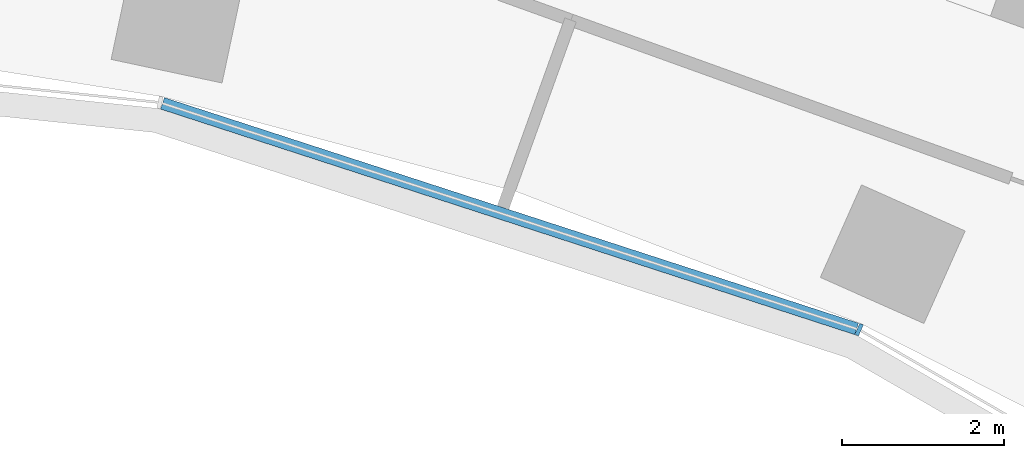
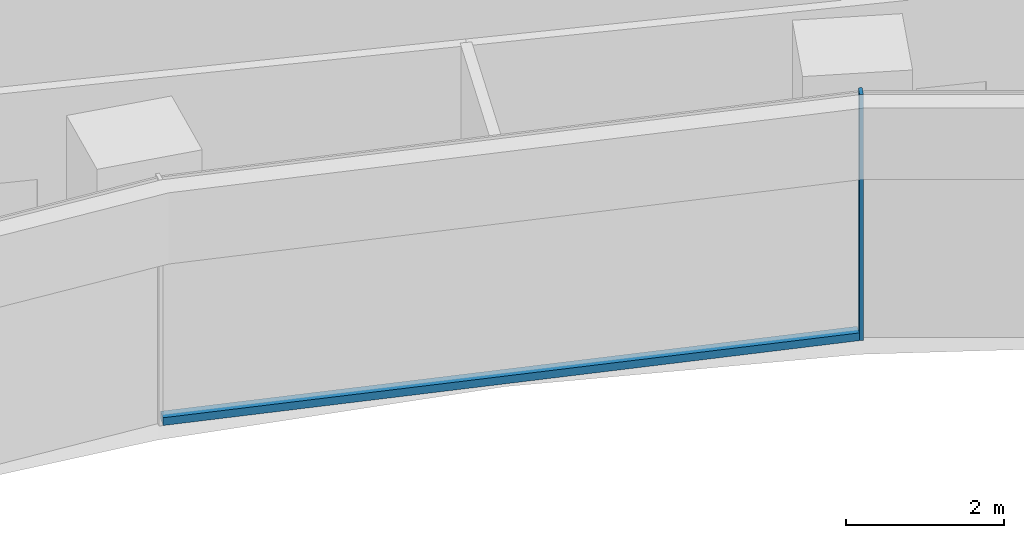
# One storey, part 9 of 21: 2 members, 1 element without a shape of its own.
"""IFC4 building model written with IfcOpenShell, lengths in metres."""

import ifcopenshell
import ifcopenshell.guid

model = None  # the IFC model being written
_history = None  # IfcOwnerHistory: only IFC2X3 demands one
_inside = {}  # id of a spatial element -> (the spatial element, [elements in it])
_under = {}  # id of a project, library or spatial element -> (it, [spatial elements below it])
_declared = {}  # id of a project -> (the project, [libraries it declares])
_typed = {}  # id of a type object -> (the type object, [elements of that type])
_made_of = {}  # id of a material, layer set ... -> (it, [elements and type objects made of it])


def new_model(schema):
    """Start an empty IFC model of exactly this schema.

    Asked for "IFC4X3", IfcOpenShell would pick the latest addendum, in which some entities
    have other attributes; the version numbers below select the first issue.
    IFC2X3 requires an IfcOwnerHistory on every rooted entity: one is made here for all.
    """
    global model, _history
    if schema == "IFC4X3":
        model = ifcopenshell.file(schema_version=(4, 3, 0, 0))
    else:
        model = ifcopenshell.file(schema=schema)
    _inside.clear()
    _under.clear()
    _declared.clear()
    _typed.clear()
    _made_of.clear()
    _history = None
    if model.schema == "IFC2X3":
        org = make("IfcOrganization", Name="unknown")
        user = make(
            "IfcPersonAndOrganization",
            ThePerson=make("IfcPerson", FamilyName="unknown"),
            TheOrganization=org,
        )
        app = make(
            "IfcApplication",
            ApplicationDeveloper=org,
            Version="unknown",
            ApplicationFullName="unknown",
            ApplicationIdentifier="unknown",
        )
        _history = make(
            "IfcOwnerHistory",
            OwningUser=user,
            OwningApplication=app,
            ChangeAction="ADDED",
            CreationDate=0,
        )
    return model


def make(cls, **values):
    """One entity of the class cls with the attributes given. An attribute that is None is left unset."""
    return model.create_entity(
        cls, **{name: value for name, value in values.items() if value is not None}
    )


def rooted(cls, **values):
    """An entity with a GlobalId (a new one), such as an element, a storey or a relation."""
    return make(cls, GlobalId=ifcopenshell.guid.new(), OwnerHistory=_history, **values)


def si_unit(unit_type, name, prefix=None):
    """IfcSIUnit, for example si_unit("LENGTHUNIT", "METRE", prefix="MILLI")."""
    return make("IfcSIUnit", UnitType=unit_type, Prefix=prefix, Name=name)


def assignment(units):
    """IfcUnitAssignment: the units of a project."""
    return None if units is None else make("IfcUnitAssignment", Units=units)


def point(xyz):
    """IfcCartesianPoint."""
    return None if xyz is None else make("IfcCartesianPoint", Coordinates=xyz)


def direction(xyz):
    """IfcDirection."""
    return None if xyz is None else make("IfcDirection", DirectionRatios=xyz)


def frame(location, z_axis=None, x_axis=None):
    """IfcAxis2Placement3D, a coordinate frame: its origin and axes. An axis left out is left unset."""
    return make(
        "IfcAxis2Placement3D",
        Location=point(location),
        Axis=direction(z_axis),
        RefDirection=direction(x_axis),
    )


def frame_2d(location, x_axis=None):
    """IfcAxis2Placement2D, a coordinate frame in the plane: its origin and x axis."""
    return make(
        "IfcAxis2Placement2D", Location=point(location), RefDirection=direction(x_axis)
    )


def origin():
    """The frame at (0, 0, 0) with its axes left unset."""
    return frame((0.0, 0.0, 0.0))


def origin_2d():
    """The frame at (0, 0) in the plane with its x axis left unset."""
    return frame_2d((0.0, 0.0))


def place(relative_to, where):
    """IfcLocalPlacement: puts the frame where relative to a parent placement (None: the world)."""
    return make(
        "IfcLocalPlacement", PlacementRelTo=relative_to, RelativePlacement=where
    )


def context(
    kind, dimensions, precision=None, world=None, true_north=None, identifier=None
):
    """IfcGeometricRepresentationContext, for example the 3D "Model" context."""
    return make(
        "IfcGeometricRepresentationContext",
        ContextIdentifier=identifier,
        ContextType=kind,
        CoordinateSpaceDimension=dimensions,
        Precision=precision,
        WorldCoordinateSystem=world,
        TrueNorth=true_north,
    )


def subcontext(parent, identifier, kind, view, scale=None):
    """IfcGeometricRepresentationSubContext, for example "Body" below "Model"."""
    return make(
        "IfcGeometricRepresentationSubContext",
        ContextIdentifier=identifier,
        ContextType=kind,
        ParentContext=parent,
        TargetScale=scale,
        TargetView=view,
    )


def project(units=None, contexts=None):
    """IfcProject with its units and contexts."""
    return rooted(
        "IfcProject",
        Name="project",
        RepresentationContexts=contexts,
        UnitsInContext=assignment(units),
    )


def spatial(cls, under=None, at=None, **own):
    """A site, building, storey or space (cls), placed at a placement, below another one or the project."""
    s = rooted(cls, ObjectPlacement=at, **own)
    if under is not None:
        _under.setdefault(under.id(), (under, []))[1].append(s)
    return s


def profile(cls, at=None, kind="AREA", **sizes):
    """A parametric profile (cls). Its sizes go by their IFC names, for example OverallWidth=200.0."""
    return make(cls, ProfileType=kind, Position=at, **sizes)


def rectangle(**sizes):
    """IfcRectangleProfileDef."""
    return profile("IfcRectangleProfileDef", **sizes)


def extrude(swept, where, along, depth):
    """IfcExtrudedAreaSolid: the profile swept, set in the frame where, extruded along a direction by depth."""
    return make(
        "IfcExtrudedAreaSolid",
        SweptArea=swept,
        Position=where,
        ExtrudedDirection=direction(along),
        Depth=depth,
    )


def shape(context_of_items, identifier, shape_type, items):
    """IfcShapeRepresentation: the items that make up one representation, for example the "Body"."""
    return make(
        "IfcShapeRepresentation",
        ContextOfItems=context_of_items,
        RepresentationIdentifier=identifier,
        RepresentationType=shape_type,
        Items=items,
    )


def material(Name=None, Category=None):
    """IfcMaterial."""
    return make("IfcMaterial", Name=Name, Category=Category)


def layer(
    of_material, thickness, ventilated=None, Name=None, Category=None, Priority=None
):
    """IfcMaterialLayer: one layer of a wall or slab, of a material (None: an air gap)."""
    return make(
        "IfcMaterialLayer",
        Material=of_material,
        LayerThickness=thickness,
        IsVentilated=ventilated,
        Name=Name,
        Category=Category,
        Priority=Priority,
    )


def layer_set(layers, Name=None):
    """IfcMaterialLayerSet."""
    return make("IfcMaterialLayerSet", MaterialLayers=layers, LayerSetName=Name)


def material_profile(
    of_material, cross_section, Name=None, Category=None, Priority=None
):
    """IfcMaterialProfile: a cross section and its material."""
    return make(
        "IfcMaterialProfile",
        Name=Name,
        Material=of_material,
        Profile=cross_section,
        Priority=Priority,
        Category=Category,
    )


def profile_set(profiles, Name=None, composite=None):
    """IfcMaterialProfileSet."""
    return make(
        "IfcMaterialProfileSet",
        Name=Name,
        MaterialProfiles=profiles,
        CompositeProfile=composite,
    )


def made_of(thing, what):
    """Note that an element or type object is made of a material, layer set ...; save() writes the relation."""
    if what is not None:
        _made_of.setdefault(what.id(), (what, []))[1].append(thing)
    return thing


def type_object(cls, material=None, **own):
    """A type object (cls), such as IfcWallType, which elements share."""
    return made_of(rooted(cls, **own), material)


def element(
    cls,
    number,
    at=None,
    inside=None,
    cuts=None,
    type_object=None,
    material=None,
    context=None,
    identifier="Body",
    shape_type=None,
    held_by="IfcProductDefinitionShape",
    body=None,
    shapes=None,
    **own,
):
    """One element of the class cls, such as IfcWall. Its Tag is "e" and its number.

    at: its placement. inside: the storey or other place that contains it. cuts: it is an
    opening in that element (IfcRelVoidsElement). A single representation is given by context,
    identifier, shape_type and body (its items); several are given by shapes. held_by: the class
    of the entity that holds the representations. save() writes the other relations.
    """
    e = rooted(cls, Tag="e%d" % number, ObjectPlacement=at, **own)
    if body is not None:
        shapes = [shape(context, identifier, shape_type, body)]
    if shapes is not None:
        e.Representation = make(held_by, Representations=shapes)
    if inside is not None:
        _inside.setdefault(inside.id(), (inside, []))[1].append(e)
    if cuts is not None:
        rooted(
            "IfcRelVoidsElement", RelatingBuildingElement=cuts, RelatedOpeningElement=e
        )
    if type_object is not None:
        _typed.setdefault(type_object.id(), (type_object, []))[1].append(e)
    return made_of(e, material)


def aggregate(whole, parts):
    """IfcRelAggregates: a whole, such as a stair, and the parts it consists of."""
    return rooted("IfcRelAggregates", RelatingObject=whole, RelatedObjects=parts)


def save(model, path):
    """Write the relations noted so far, then the file.

    IfcRelAggregates (storeys below a building ...), IfcRelContainedInSpatialStructure (elements
    in a storey), IfcRelDefinesByType, IfcRelAssociatesMaterial and IfcRelDeclares: one each for
    every whole, place, type object, material and project.
    """
    for whole, parts in _under.values():
        aggregate(whole, parts)
    for where, things in _inside.values():
        rooted(
            "IfcRelContainedInSpatialStructure",
            RelatedElements=things,
            RelatingStructure=where,
        )
    for kind, things in _typed.values():
        rooted("IfcRelDefinesByType", RelatedObjects=things, RelatingType=kind)
    for what, things in _made_of.values():
        rooted("IfcRelAssociatesMaterial", RelatedObjects=things, RelatingMaterial=what)
    for by, libraries in _declared.values():
        rooted("IfcRelDeclares", RelatingContext=by, RelatedDefinitions=libraries)
    model.write(path)


model = new_model("IFC4")

# Units and contexts
model_context = context("Model", 3, precision=1e-05, world=origin(), true_north=direction((0.0, 1.0)))
body_context = subcontext(model_context, "Body", "Model", "MODEL_VIEW")
ifc_project = project(units=[si_unit("LENGTHUNIT", "METRE"), si_unit("AREAUNIT", "SQUARE_METRE"), si_unit("VOLUMEUNIT", "CUBIC_METRE"), si_unit("PLANEANGLEUNIT", "RADIAN"), si_unit("MASSUNIT", "GRAM", prefix="KILO")], contexts=[model_context])

# Site, building, storey
site_placement = place(None, origin())
site = spatial("IfcSite", under=ifc_project, at=site_placement, CompositionType="ELEMENT")
building_placement = place(site_placement, origin())
building = spatial("IfcBuilding", under=site, at=building_placement, Name="Stone Belt Terrace Tower", CompositionType="ELEMENT")
storey_placement = place(building_placement, frame((0.0, 0.0, 33.800048828125)))
storey = spatial("IfcBuildingStorey", under=building, at=storey_placement, Name="L07", CompositionType="ELEMENT", Elevation=33.800048828125)

# Curtain wall, members
ifc_material = material(Name="Aluminium 6063-T6 anodised frame", Category="aluminium")
ifc_layer = layer(ifc_material, 0.14990234375)
ifc_layer_set = layer_set([ifc_layer], Name="CW-B unitised concave-face curtain wall")
curtain_wall_type = type_object("IfcCurtainWallType", Name="CW-B unitised concave-face curtain wall", PredefinedType="NOTDEFINED", material=ifc_layer_set)
curtain_wall_placement = place(storey_placement, origin())
curtain_wall = element("IfcCurtainWall", 1, at=curtain_wall_placement, inside=storey, type_object=curtain_wall_type, Name="CW-B concave face L07", PredefinedType="NOTDEFINED")
ifc_material_profile_1 = material_profile(ifc_material, rectangle(XDim=0.14990234375, YDim=0.050048828125, at=origin_2d()), Name="Aluminium 6063-T6 50x150")
ifc_profile_set_1 = profile_set([ifc_material_profile_1], Name="Aluminium 6063-T6 anodised frame")
member_type_1 = type_object("IfcMemberType", Name="CW-B mullion 50 x 150", PredefinedType="MULLION", material=ifc_profile_set_1)
member_1_placement = place(storey_placement, frame((17.662353515625, 39.67041015625, 0.0), z_axis=(0.0, 0.0, 1.0), x_axis=(0.406736643076, 0.913545457643, 0.0)))
member_1 = element("IfcMember", 2, at=member_1_placement, type_object=member_type_1, Name="CW-B mullion 8", PredefinedType="MULLION", context=body_context, shape_type="SweptSolid", body=[
    extrude(rectangle(XDim=0.14990234375, YDim=0.050048828125, at=origin_2d()), origin(), (0.0, 0.0, 1.0), 3.800048828125),
])
ifc_material_profile_2 = material_profile(ifc_material, rectangle(XDim=0.14990234375, YDim=0.1201171875, at=origin_2d()), Name="Aluminium 6063-T6 150x120")
ifc_profile_set_2 = profile_set([ifc_material_profile_2], Name="Aluminium 6063-T6 anodised frame")
member_type_2 = type_object("IfcMemberType", Name="CW-B transom 120 x 150", PredefinedType="USERDEFINED", material=ifc_profile_set_2)
member_2_placement = place(storey_placement, frame((9.0595703125, 42.465576171875, 0.06005859375), z_axis=(0.951055963285, -0.309018696359, 0.0), x_axis=(0.309018696359, 0.951055963285, 0.0)))
member_2 = element("IfcMember", 3, at=member_2_placement, type_object=member_type_2, Name="CW-B transom 7.1", ObjectType="TRANSOM", PredefinedType="USERDEFINED", context=body_context, shape_type="SweptSolid", body=[
    extrude(rectangle(XDim=0.14990234375, YDim=0.1201171875, at=origin_2d()), origin(), (0.0, 0.0, 1.0), 9.012939453125),
])
aggregate(curtain_wall, [member_1, member_2])

save(model, "model.ifc")
